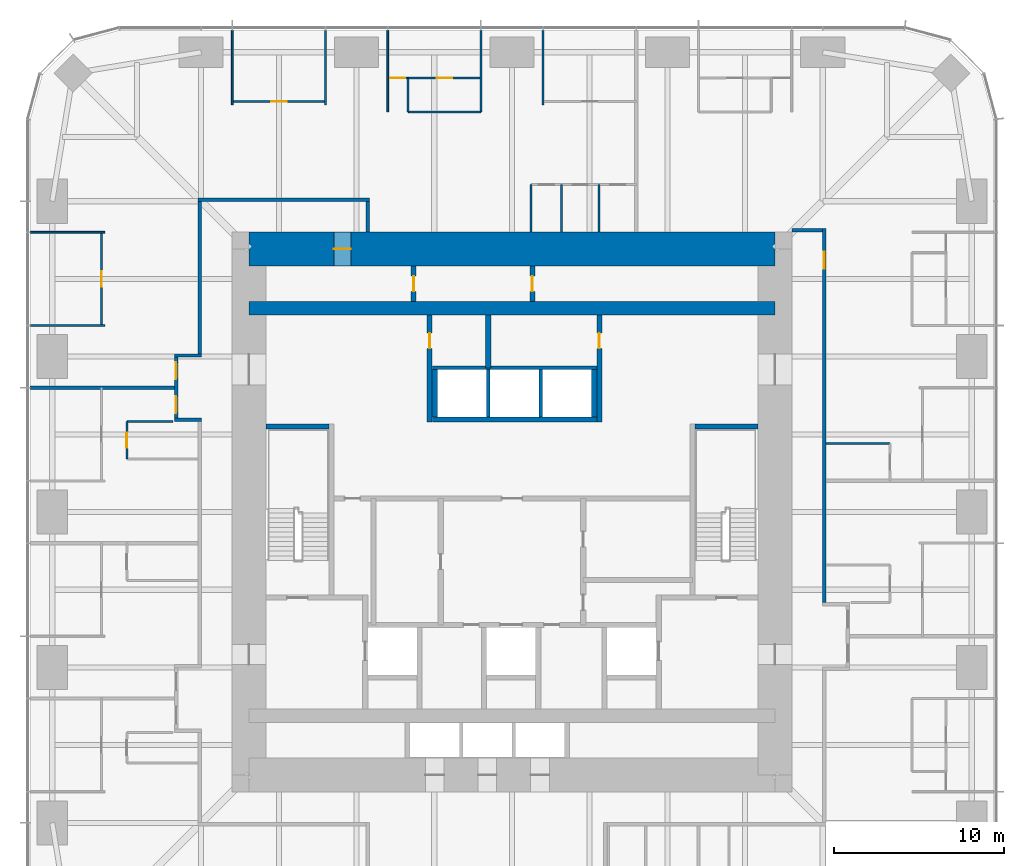
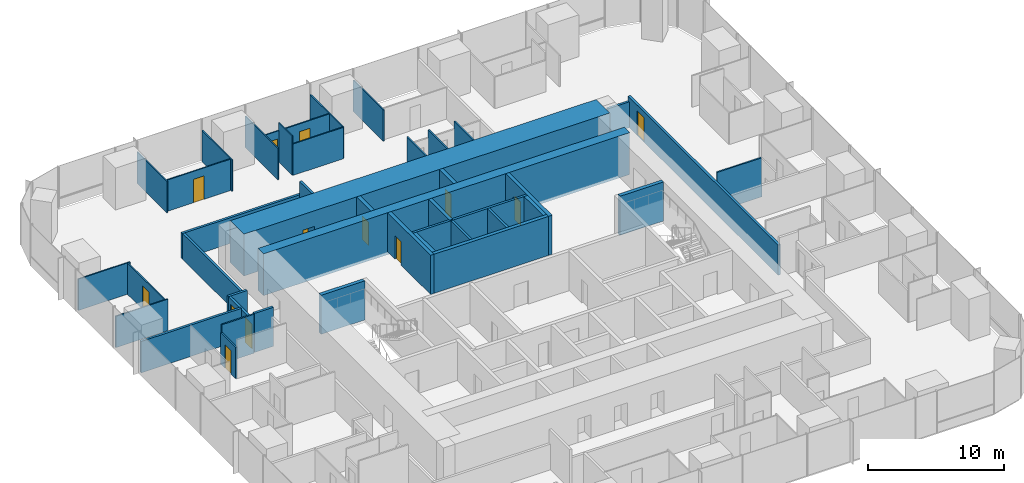
# One storey, part 11 of 13: 42 walls, 13 doors, 13 openings.
"""IFC4 building model written with IfcOpenShell, lengths in metres."""

from ifc_helpers import new_model, si_unit, direction, frame, frame_2d, origin, place, context, subcontext, project, spatial, rectangle, extrude, material, layer, layer_set, type_object, element, fill, save


model = new_model("IFC4")

# Units and contexts
model_context = context("Model", 3, precision=1e-05, world=origin(), true_north=direction((0.0, 1.0)))
body_context = subcontext(model_context, "Body", "Model", "MODEL_VIEW")
ifc_project = project(units=[si_unit("LENGTHUNIT", "METRE"), si_unit("AREAUNIT", "SQUARE_METRE"), si_unit("VOLUMEUNIT", "CUBIC_METRE"), si_unit("PLANEANGLEUNIT", "RADIAN"), si_unit("MASSUNIT", "GRAM", prefix="KILO")], contexts=[model_context])

# Site, building, storey
site_placement = place(None, origin())
site = spatial("IfcSite", under=ifc_project, at=site_placement, CompositionType="ELEMENT")
building_placement = place(site_placement, origin())
building = spatial("IfcBuilding", under=site, at=building_placement, Name="Khuree Lantern Residences", CompositionType="ELEMENT")
storey_placement = place(building_placement, frame((0.0, 0.0, 159.75)))
storey = spatial("IfcBuildingStorey", under=building, at=storey_placement, Name="L40", CompositionType="ELEMENT", Elevation=159.75)

# Walls
ifc_material_1 = material(Name="Moisture-resistant gypsum board on steel studs", Category="steel")
ifc_layer_1 = layer(ifc_material_1, 0.125)
ifc_layer_set_1 = layer_set([ifc_layer_1], Name="BATHROOM WALL BTW125")
wall_type_1 = type_object("IfcWallType", Name="BATHROOM WALL BTW125", PredefinedType="PARTITIONING", material=ifc_layer_set_1)
wall_1_placement = place(storey_placement, frame((18.5, 4.031982421875, 0.0), z_axis=(0.0, 0.0, 1.0), x_axis=(1.0, 0.0, 0.0)))
element("IfcWall", 1, at=wall_1_placement, inside=storey, type_object=wall_type_1, Name="L40 BATHROOM WALL 02", PredefinedType="PARTITIONING", context=body_context, shape_type="SweptSolid", body=[
    extrude(rectangle(XDim=3.77978515625, YDim=0.125, at=frame_2d((1.889892578125, 0.0))), origin(), (0.0, 0.0, 1.0), 3.5),
])
for number, where, z_axis, x_axis, name in (
    (2, (5.1279296875, 16.5, 0.0), (0.0, 0.0, 1.0), (0.0, 1.0, 0.0), "L40 BATHROOM WALL 03"),
    (3, (2.927978515625, 16.5, 0.0), (0.0, 0.0, 1.0), (0.0, 1.0, 0.0), "L40 BATHROOM WALL 03"),
    (4, (1.1279296875, 16.5, 0.0), (0.0, 0.0, 1.0), (0.0, 1.0, 0.0), "L40 BATHROOM WALL 03"),
):
    element("IfcWall", number, at=place(storey_placement, frame(where, z_axis=z_axis, x_axis=x_axis)), inside=storey, type_object=wall_type_1, Name=name, PredefinedType="PARTITIONING", context=body_context, shape_type="SweptSolid", body=[
        extrude(rectangle(XDim=2.800048828125, YDim=0.125, at=frame_2d((1.39990234375, 0.0))), origin(), (0.0, 0.0, 1.0), 3.5),
    ])

# Wall, opening, door
wall_2_placement = place(storey_placement, frame((-22.699951171875, 5.327880859375, 0.0), z_axis=(0.0, 0.0, 1.0), x_axis=(0.0, -1.0, 0.0)))
wall_2 = element("IfcWall", 5, at=wall_2_placement, inside=storey, type_object=wall_type_1, Name="L40 BATHROOM WALL 04", PredefinedType="PARTITIONING", context=body_context, shape_type="SweptSolid", body=[
    extrude(rectangle(XDim=2.199951171875, YDim=0.125, at=frame_2d((1.10009765625, 0.0))), origin(), (0.0, 0.0, 1.0), 2.81005859375),
])
opening_1_placement = place(wall_2_placement, frame((0.64990234375, 0.0, 0.0)))
opening_1 = element("IfcOpeningElement", 6, at=opening_1_placement, cuts=wall_2, Name="Opening 40-045", PredefinedType="OPENING", context=body_context, shape_type="SweptSolid", body=[
    extrude(rectangle(XDim=0.89990234375, YDim=2.10009765625, at=frame_2d((0.449951171875, 1.050048828125))), frame((0.0, 0.072509765625, 0.0), z_axis=(0.0, -1.0, 0.0), x_axis=(1.0, 0.0, 0.0)), (0.0, 0.0, 1.0), 0.14501953125),
])
ifc_material_2 = material(Name="Timber door leaf in hardwood frame", Category="wood")
door_type_1 = type_object("IfcDoorType", Name="BATHROOM DOOR 900X2100", OperationType="SINGLE_SWING_LEFT", PredefinedType="DOOR", material=ifc_material_2)
door_1_placement = place(opening_1_placement, origin())
door_1 = element("IfcDoor", 7, at=door_1_placement, inside=storey, type_object=door_type_1, Name="Bathroom door 40-045", OperationType="SINGLE_SWING_LEFT", OverallHeight=2.10009765625, OverallWidth=0.89990234375, PredefinedType="DOOR", context=body_context, shape_type="SweptSolid", body=[
    extrude(rectangle(XDim=0.89990234375, YDim=2.10009765625, at=frame_2d((0.449951171875, 1.050048828125))), frame((0.0, 0.02490234375, 0.0), z_axis=(0.0, -1.0, 0.0), x_axis=(1.0, 0.0, 0.0)), (0.0, 0.0, 1.0), 0.050048828125),
])
fill(opening_1, door_1)

# Walls
wall_3_placement = place(storey_placement, frame((-19.969970703125, 5.327880859375, 0.0), z_axis=(0.0, 0.0, 1.0), x_axis=(-1.0, 0.0, 0.0)))
element("IfcWall", 8, at=wall_3_placement, inside=storey, type_object=wall_type_1, Name="L40 BATHROOM WALL 04", PredefinedType="PARTITIONING", context=body_context, shape_type="SweptSolid", body=[
    extrude(rectangle(XDim=2.72998046875, YDim=0.125, at=frame_2d((1.364990234375, 0.0))), origin(), (0.0, 0.0, 1.0), 3.5),
])
ifc_material_3 = material(Name="Dense concrete blockwork", Category="masonry")
ifc_layer_2 = layer(ifc_material_3, 0.300048828125)
ifc_layer_set_2 = layer_set([ifc_layer_2], Name="CORE PARTITION WALL CPW300 EI 120")
wall_type_2 = type_object("IfcWallType", Name="CORE PARTITION WALL CPW300 EI 120", PredefinedType="PARTITIONING", material=ifc_layer_set_2)
wall_4_placement = place(storey_placement, frame((-4.699951171875, 5.449951171875, 0.0), z_axis=(0.0, 0.0, 1.0), x_axis=(1.0, 0.0, 0.0)))
element("IfcWall", 9, at=wall_4_placement, inside=storey, type_object=wall_type_2, Name="L40 CORE WALL PHS", PredefinedType="PARTITIONING", context=body_context, shape_type="SweptSolid", body=[
    extrude(rectangle(XDim=9.699951171875, YDim=0.300048828125, at=frame_2d((4.85009765625, 0.0))), origin(), (0.0, 0.0, 1.0), 3.5),
])
for number, where, z_axis, x_axis, name in (
    (10, (-4.550048828125, 5.60009765625, 0.0), (0.0, 0.0, 1.0), (0.0, 1.0, 0.0), "L40 CORE WALL PHW"),
    (11, (4.85009765625, 5.60009765625, 0.0), (0.0, 0.0, 1.0), (0.0, 1.0, 0.0), "L40 CORE WALL PHE"),
):
    element("IfcWall", number, at=place(storey_placement, frame(where, z_axis=z_axis, x_axis=x_axis)), inside=storey, type_object=wall_type_2, Name=name, PredefinedType="PARTITIONING", context=body_context, shape_type="SweptSolid", body=[
        extrude(rectangle(XDim=2.7998046875, YDim=0.300048828125, at=frame_2d((1.39990234375, 0.0))), origin(), (0.0, 0.0, 1.0), 3.5),
    ])

# Wall, opening, door
wall_5_placement = place(storey_placement, frame((-4.85009765625, 5.300048828125, 0.0), z_axis=(0.0, 0.0, 1.0), x_axis=(0.0, 1.0, 0.0)))
wall_5 = element("IfcWall", 12, at=wall_5_placement, inside=storey, type_object=wall_type_2, Name="L40 CORE WALL NW", PredefinedType="PARTITIONING", context=body_context, shape_type="SweptSolid", body=[
    extrude(rectangle(XDim=6.300048828125, YDim=0.300048828125, at=frame_2d((3.14990234375, 0.0))), origin(), (0.0, 0.0, 1.0), 3.5),
])
opening_2_placement = place(wall_5_placement, frame((4.35009765625, 0.0, 0.0)))
opening_2 = element("IfcOpeningElement", 13, at=opening_2_placement, cuts=wall_5, Name="Opening 40-020", PredefinedType="OPENING", context=body_context, shape_type="SweptSolid", body=[
    extrude(rectangle(XDim=0.89990234375, YDim=2.10009765625, at=frame_2d((0.449951171875, 1.050048828125))), frame((0.0, 0.16015625, 0.0), z_axis=(0.0, -1.0, 0.0), x_axis=(1.0, 0.0, 0.0)), (0.0, 0.0, 1.0), 0.320068359375),
])
door_type_2 = type_object("IfcDoorType", Name="DOOR 900X2100 RIGHT HAND", OperationType="SINGLE_SWING_RIGHT", PredefinedType="DOOR", material=ifc_material_2)
door_2_placement = place(opening_2_placement, origin())
door_2 = element("IfcDoor", 14, at=door_2_placement, inside=storey, type_object=door_type_2, Name="Building management room door 40-020", OperationType="SINGLE_SWING_RIGHT", OverallHeight=2.10009765625, OverallWidth=0.89990234375, PredefinedType="DOOR", context=body_context, shape_type="SweptSolid", body=[
    extrude(rectangle(XDim=0.89990234375, YDim=2.10009765625, at=frame_2d((0.449951171875, 1.050048828125))), frame((0.0, 0.02490234375, 0.0), z_axis=(0.0, -1.0, 0.0), x_axis=(1.0, 0.0, 0.0)), (0.0, 0.0, 1.0), 0.050048828125),
])
fill(opening_2, door_2)

wall_6_placement = place(storey_placement, frame((5.14990234375, 5.300048828125, 0.0), z_axis=(0.0, 0.0, 1.0), x_axis=(0.0, 1.0, 0.0)))
wall_6 = element("IfcWall", 15, at=wall_6_placement, inside=storey, type_object=wall_type_2, Name="L40 CORE WALL NE", PredefinedType="PARTITIONING", context=body_context, shape_type="SweptSolid", body=[
    extrude(rectangle(XDim=6.300048828125, YDim=0.300048828125, at=frame_2d((3.14990234375, 0.0))), origin(), (0.0, 0.0, 1.0), 3.5),
])
opening_3_placement = place(wall_6_placement, frame((4.35009765625, 0.0, 0.0)))
opening_3 = element("IfcOpeningElement", 16, at=opening_3_placement, cuts=wall_6, Name="Opening 40-021", PredefinedType="OPENING", context=body_context, shape_type="SweptSolid", body=[
    extrude(rectangle(XDim=0.89990234375, YDim=2.10009765625, at=frame_2d((0.449951171875, 1.050048828125))), frame((0.0, 0.16015625, 0.0), z_axis=(0.0, -1.0, 0.0), x_axis=(1.0, 0.0, 0.0)), (0.0, 0.0, 1.0), 0.320068359375),
])
door_type_3 = type_object("IfcDoorType", Name="DOOR 900X2100", OperationType="SINGLE_SWING_LEFT", PredefinedType="DOOR", material=ifc_material_2)
door_3_placement = place(opening_3_placement, origin())
door_3 = element("IfcDoor", 17, at=door_3_placement, inside=storey, type_object=door_type_3, Name="Bulky waste store door 40-021", OperationType="SINGLE_SWING_LEFT", OverallHeight=2.10009765625, OverallWidth=0.89990234375, PredefinedType="DOOR", context=body_context, shape_type="SweptSolid", body=[
    extrude(rectangle(XDim=0.89990234375, YDim=2.10009765625, at=frame_2d((0.449951171875, 1.050048828125))), frame((0.0, 0.02490234375, 0.0), z_axis=(0.0, -1.0, 0.0), x_axis=(1.0, 0.0, 0.0)), (0.0, 0.0, 1.0), 0.050048828125),
])
fill(opening_3, door_3)

# Wall
wall_7_placement = place(storey_placement, frame((-1.39990234375, 8.5, 0.0), z_axis=(0.0, 0.0, 1.0), x_axis=(0.0, 1.0, 0.0)))
element("IfcWall", 18, at=wall_7_placement, inside=storey, type_object=wall_type_2, Name="L40 CORE WALL NX", PredefinedType="PARTITIONING", context=body_context, shape_type="SweptSolid", body=[
    extrude(rectangle(XDim=3.10009765625, YDim=0.300048828125, at=frame_2d((1.550048828125, 0.0))), origin(), (0.0, 0.0, 1.0), 3.5),
])

# Wall, opening, door
wall_8_placement = place(storey_placement, frame((-5.800048828125, 12.39990234375, 0.0), z_axis=(0.0, 0.0, 1.0), x_axis=(0.0, 1.0, 0.0)))
wall_8 = element("IfcWall", 19, at=wall_8_placement, inside=storey, type_object=wall_type_2, Name="L40 CORE WALL PLX", PredefinedType="PARTITIONING", context=body_context, shape_type="SweptSolid", body=[
    extrude(rectangle(XDim=2.10009765625, YDim=0.300048828125, at=frame_2d((1.050048828125, 0.0))), origin(), (0.0, 0.0, 1.0), 3.5),
])
opening_4_placement = place(wall_8_placement, frame((0.60009765625, 0.0, 0.0)))
opening_4 = element("IfcOpeningElement", 20, at=opening_4_placement, cuts=wall_8, Name="Opening 40-022", PredefinedType="OPENING", context=body_context, shape_type="SweptSolid", body=[
    extrude(rectangle(XDim=0.89990234375, YDim=2.10009765625, at=frame_2d((0.449951171875, 1.050048828125))), frame((0.0, 0.16015625, 0.0), z_axis=(0.0, -1.0, 0.0), x_axis=(1.0, 0.0, 0.0)), (0.0, 0.0, 1.0), 0.320068359375),
])
door_4_placement = place(opening_4_placement, origin())
door_4 = element("IfcDoor", 21, at=door_4_placement, inside=storey, type_object=door_type_3, Name="Housekeeping store door 40-022", OperationType="SINGLE_SWING_LEFT", OverallHeight=2.10009765625, OverallWidth=0.89990234375, PredefinedType="DOOR", context=body_context, shape_type="SweptSolid", body=[
    extrude(rectangle(XDim=0.89990234375, YDim=2.10009765625, at=frame_2d((0.449951171875, 1.050048828125))), frame((0.0, 0.02490234375, 0.0), z_axis=(0.0, -1.0, 0.0), x_axis=(1.0, 0.0, 0.0)), (0.0, 0.0, 1.0), 0.050048828125),
])
fill(opening_4, door_4)

wall_9_placement = place(storey_placement, frame((1.199951171875, 12.39990234375, 0.0), z_axis=(0.0, 0.0, 1.0), x_axis=(0.0, 1.0, 0.0)))
wall_9 = element("IfcWall", 22, at=wall_9_placement, inside=storey, type_object=wall_type_2, Name="L40 CORE WALL PLY", PredefinedType="PARTITIONING", context=body_context, shape_type="SweptSolid", body=[
    extrude(rectangle(XDim=2.10009765625, YDim=0.300048828125, at=frame_2d((1.050048828125, 0.0))), origin(), (0.0, 0.0, 1.0), 3.5),
])
opening_5_placement = place(wall_9_placement, frame((0.60009765625, 0.0, 0.0)))
opening_5 = element("IfcOpeningElement", 23, at=opening_5_placement, cuts=wall_9, Name="Opening 40-023", PredefinedType="OPENING", context=body_context, shape_type="SweptSolid", body=[
    extrude(rectangle(XDim=0.89990234375, YDim=2.10009765625, at=frame_2d((0.449951171875, 1.050048828125))), frame((0.0, 0.16015625, 0.0), z_axis=(0.0, -1.0, 0.0), x_axis=(1.0, 0.0, 0.0)), (0.0, 0.0, 1.0), 0.320068359375),
])
door_5_placement = place(opening_5_placement, origin())
door_5 = element("IfcDoor", 24, at=door_5_placement, inside=storey, type_object=door_type_3, Name="Store door 40-023", OperationType="SINGLE_SWING_LEFT", OverallHeight=2.10009765625, OverallWidth=0.89990234375, PredefinedType="DOOR", context=body_context, shape_type="SweptSolid", body=[
    extrude(rectangle(XDim=0.89990234375, YDim=2.10009765625, at=frame_2d((0.449951171875, 1.050048828125))), frame((0.0, 0.02490234375, 0.0), z_axis=(0.0, -1.0, 0.0), x_axis=(1.0, 0.0, 0.0)), (0.0, 0.0, 1.0), 0.050048828125),
])
fill(opening_5, door_5)

# Walls
ifc_material_4 = material(Name="Gypsum board on steel studs", Category="steel")
ifc_layer_3 = layer(ifc_material_4, 0.199951171875)
ifc_layer_set_3 = layer_set([ifc_layer_3], Name="CORRIDOR WALL CRW200 EI 60")
wall_type_3 = type_object("IfcWallType", Name="CORRIDOR WALL CRW200 EI 60", PredefinedType="PARTITIONING", material=ifc_layer_set_3)
wall_10_placement = place(storey_placement, frame((16.5, 16.60009765625, 0.0), z_axis=(0.0, 0.0, 1.0), x_axis=(1.0, 0.0, 0.0)))
element("IfcWall", 25, at=wall_10_placement, inside=storey, type_object=wall_type_3, Name="L40 EAST CORRIDOR NORTH END WALL", PredefinedType="PARTITIONING", context=body_context, shape_type="SweptSolid", body=[
    extrude(rectangle(XDim=1.800048828125, YDim=0.199951171875, at=frame_2d((0.89990234375, 0.0))), origin(), (0.0, 0.0, 1.0), 2.300048828125),
])
wall_11_placement = place(storey_placement, frame((-18.5, 18.39990234375, 0.0), z_axis=(0.0, 0.0, 1.0), x_axis=(1.0, 0.0, 0.0)))
element("IfcWall", 26, at=wall_11_placement, inside=storey, type_object=wall_type_3, Name="L40 CORRIDOR WALL NORTH", PredefinedType="PARTITIONING", context=body_context, shape_type="SweptSolid", body=[
    extrude(rectangle(XDim=10.10009765625, YDim=0.199951171875, at=frame_2d((5.050048828125, 0.0))), origin(), (0.0, 0.0, 1.0), 2.300048828125),
])
wall_12_placement = place(storey_placement, frame((-8.5, 18.300048828125, 0.0), z_axis=(0.0, 0.0, 1.0), x_axis=(0.0, -1.0, 0.0)))
element("IfcWall", 27, at=wall_12_placement, inside=storey, type_object=wall_type_3, Name="L40 NORTH CORRIDOR END WALL", PredefinedType="PARTITIONING", context=body_context, shape_type="SweptSolid", body=[
    extrude(rectangle(XDim=1.800048828125, YDim=0.199951171875, at=frame_2d((0.89990234375, 0.0))), origin(), (0.0, 0.0, 1.0), 3.5),
])

# Wall, opening, door
wall_13_placement = place(storey_placement, frame((18.39990234375, -5.327880859375, 0.0), z_axis=(0.0, 0.0, 1.0), x_axis=(0.0, 1.0, 0.0)))
wall_13 = element("IfcWall", 28, at=wall_13_placement, inside=storey, type_object=wall_type_3, Name="L40 CORRIDOR WALL EAST 2", PredefinedType="PARTITIONING", context=body_context, shape_type="SweptSolid", body=[
    extrude(rectangle(XDim=22.02783203125, YDim=0.199951171875, at=frame_2d((11.013916015625, 0.0))), origin(), (0.0, 0.0, 1.0), 2.699951171875),
])
opening_6_placement = place(wall_13_placement, frame((19.679931640625, 0.0, 0.0)))
opening_6 = element("IfcOpeningElement", 29, at=opening_6_placement, cuts=wall_13, Name="Opening 40-034", PredefinedType="OPENING", context=body_context, shape_type="SweptSolid", body=[
    extrude(rectangle(XDim=1.0, YDim=2.199951171875, at=frame_2d((0.5, 1.10009765625))), frame((0.0, 0.10986328125, 0.0), z_axis=(0.0, -1.0, 0.0), x_axis=(1.0, 0.0, 0.0)), (0.0, 0.0, 1.0), 0.219970703125),
])
door_type_4 = type_object("IfcDoorType", Name="APARTMENT ENTRANCE DOOR 1000X2200 EI 30S RIGHT HAND", OperationType="SINGLE_SWING_RIGHT", PredefinedType="DOOR", material=ifc_material_2)
door_6_placement = place(opening_6_placement, origin())
door_6 = element("IfcDoor", 30, at=door_6_placement, inside=storey, type_object=door_type_4, Name="Apartment 02 entrance door 40-034", OperationType="SINGLE_SWING_RIGHT", OverallHeight=2.199951171875, OverallWidth=1.0, PredefinedType="DOOR", context=body_context, shape_type="SweptSolid", body=[
    extrude(rectangle(XDim=1.0, YDim=2.199951171875, at=frame_2d((0.5, 1.10009765625))), frame((0.0, 0.02490234375, 0.0), z_axis=(0.0, -1.0, 0.0), x_axis=(1.0, 0.0, 0.0)), (0.0, 0.0, 1.0), 0.050048828125),
])
fill(opening_6, door_6)

# Walls
wall_14_placement = place(storey_placement, frame((-18.39990234375, 18.300048828125, 0.0), z_axis=(0.0, 0.0, 1.0), x_axis=(0.0, -1.0, 0.0)))
element("IfcWall", 31, at=wall_14_placement, inside=storey, type_object=wall_type_3, Name="L40 CORRIDOR WALL WEST 1", PredefinedType="PARTITIONING", context=body_context, shape_type="SweptSolid", body=[
    extrude(rectangle(XDim=8.97216796875, YDim=0.199951171875, at=frame_2d((4.486083984375, 0.0))), origin(), (0.0, 0.0, 1.0), 2.300048828125),
])
wall_15_placement = place(storey_placement, frame((-18.300048828125, 9.22802734375, 0.0), z_axis=(0.0, 0.0, 1.0), x_axis=(-1.0, 0.0, 0.0)))
element("IfcWall", 32, at=wall_15_placement, inside=storey, type_object=wall_type_3, Name="L40 CORRIDOR ALCOVE WALL WEST", PredefinedType="PARTITIONING", context=body_context, shape_type="SweptSolid", body=[
    extrude(rectangle(XDim=1.599853515625, YDim=0.199951171875, at=frame_2d((0.7998046875, 0.0))), origin(), (0.0, 0.0, 1.0), 2.699951171875),
])
wall_16_placement = place(storey_placement, frame((-18.300048828125, 5.427978515625, 0.0), z_axis=(0.0, 0.0, 1.0), x_axis=(-1.0, 0.0, 0.0)))
element("IfcWall", 33, at=wall_16_placement, inside=storey, type_object=wall_type_3, Name="L40 CORRIDOR ALCOVE WALL WEST", PredefinedType="PARTITIONING", context=body_context, shape_type="SweptSolid", body=[
    extrude(rectangle(XDim=1.599853515625, YDim=0.199951171875, at=frame_2d((0.7998046875, 0.0))), origin(), (0.0, 0.0, 1.0), 3.5),
])

# Wall, openings, doors
wall_17_placement = place(storey_placement, frame((-19.800048828125, 9.1279296875, 0.0), z_axis=(0.0, 0.0, 1.0), x_axis=(0.0, -1.0, 0.0)))
wall_17 = element("IfcWall", 34, at=wall_17_placement, inside=storey, type_object=wall_type_3, Name="L40 CORRIDOR ALCOVE WALL WEST", PredefinedType="PARTITIONING", context=body_context, shape_type="SweptSolid", body=[
    extrude(rectangle(XDim=3.599853515625, YDim=0.199951171875, at=frame_2d((1.7998046875, 0.0))), origin(), (0.0, 0.0, 1.0), 2.699951171875),
])
opening_7_placement = place(wall_17_placement, frame((0.300048828125, 0.0, 0.0)))
opening_7 = element("IfcOpeningElement", 35, at=opening_7_placement, cuts=wall_17, Name="Opening 40-043", PredefinedType="OPENING", context=body_context, shape_type="SweptSolid", body=[
    extrude(rectangle(XDim=1.0, YDim=2.199951171875, at=frame_2d((0.5, 1.10009765625))), frame((0.0, 0.10986328125, 0.0), z_axis=(0.0, -1.0, 0.0), x_axis=(1.0, 0.0, 0.0)), (0.0, 0.0, 1.0), 0.219970703125),
])
opening_8_placement = place(wall_17_placement, frame((2.300048828125, 0.0, 0.0)))
opening_8 = element("IfcOpeningElement", 36, at=opening_8_placement, cuts=wall_17, Name="Opening 40-046", PredefinedType="OPENING", context=body_context, shape_type="SweptSolid", body=[
    extrude(rectangle(XDim=1.0, YDim=2.199951171875, at=frame_2d((0.5, 1.10009765625))), frame((0.0, 0.10986328125, 0.0), z_axis=(0.0, -1.0, 0.0), x_axis=(1.0, 0.0, 0.0)), (0.0, 0.0, 1.0), 0.219970703125),
])
door_type_5 = type_object("IfcDoorType", Name="APARTMENT ENTRANCE DOOR 1000X2200 EI 30S", OperationType="SINGLE_SWING_LEFT", PredefinedType="DOOR", material=ifc_material_2)
door_7_placement = place(opening_7_placement, origin())
door_7 = element("IfcDoor", 37, at=door_7_placement, inside=storey, type_object=door_type_5, Name="Apartment 03 entrance door 40-043", OperationType="SINGLE_SWING_LEFT", OverallHeight=2.199951171875, OverallWidth=1.0, PredefinedType="DOOR", context=body_context, shape_type="SweptSolid", body=[
    extrude(rectangle(XDim=1.0, YDim=2.199951171875, at=frame_2d((0.5, 1.10009765625))), frame((0.0, 0.02490234375, 0.0), z_axis=(0.0, -1.0, 0.0), x_axis=(1.0, 0.0, 0.0)), (0.0, 0.0, 1.0), 0.050048828125),
])
fill(opening_7, door_7)
door_8_placement = place(opening_8_placement, origin())
door_8 = element("IfcDoor", 38, at=door_8_placement, inside=storey, type_object=door_type_4, Name="Apartment 04 entrance door 40-046", OperationType="SINGLE_SWING_RIGHT", OverallHeight=2.199951171875, OverallWidth=1.0, PredefinedType="DOOR", context=body_context, shape_type="SweptSolid", body=[
    extrude(rectangle(XDim=1.0, YDim=2.199951171875, at=frame_2d((0.5, 1.10009765625))), frame((0.0, 0.02490234375, 0.0), z_axis=(0.0, -1.0, 0.0), x_axis=(1.0, 0.0, 0.0)), (0.0, 0.0, 1.0), 0.050048828125),
])
fill(opening_8, door_8)

# Wall, opening, door
ifc_material_5 = material(Name="Concrete C70/85", Category="concrete")
ifc_layer_4 = layer(ifc_material_5, 2.0)
ifc_layer_set_4 = layer_set([ifc_layer_4], Name="CW2000-C70 CORE WALL C70 2000")
wall_type_4 = type_object("IfcWallType", Name="CW2000-C70 CORE WALL C70 2000", PredefinedType="SHEAR", material=ifc_layer_set_4)
wall_18_placement = place(storey_placement, frame((-15.5, 15.5, -0.25), z_axis=(0.0, 0.0, 1.0), x_axis=(1.0, 0.0, 0.0)))
wall_18 = element("IfcWall", 39, at=wall_18_placement, inside=storey, type_object=wall_type_4, Name="Core wall N", PredefinedType="SHEAR", context=body_context, shape_type="SweptSolid", body=[
    extrude(rectangle(XDim=31.0, YDim=2.0, at=frame_2d((15.5, 0.0))), origin(), (0.0, 0.0, 1.0), 3.75),
])
opening_9_placement = place(wall_18_placement, frame((5.0, 0.0, 0.25)))
opening_9 = element("IfcOpeningElement", 40, at=opening_9_placement, cuts=wall_18, Name="Opening 40-024", PredefinedType="OPENING", context=body_context, shape_type="SweptSolid", body=[
    extrude(rectangle(XDim=1.0, YDim=2.10009765625, at=frame_2d((0.5, 1.050048828125))), frame((0.0, 1.010009765625, 0.0), z_axis=(0.0, -1.0, 0.0), x_axis=(1.0, 0.0, 0.0)), (0.0, 0.0, 1.0), 2.02001953125),
])
ifc_material_6 = material(Name="Steel door leaf in steel frame", Category="steel")
door_type_6 = type_object("IfcDoorType", Name="DOOR 1000X2100 EI 60 RIGHT HAND", OperationType="SINGLE_SWING_RIGHT", PredefinedType="DOOR", material=ifc_material_6)
door_9_placement = place(opening_9_placement, origin())
door_9 = element("IfcDoor", 41, at=door_9_placement, inside=storey, type_object=door_type_6, Name="Residents' store door 40-024", OperationType="SINGLE_SWING_RIGHT", OverallHeight=2.10009765625, OverallWidth=1.0, PredefinedType="DOOR", context=body_context, shape_type="SweptSolid", body=[
    extrude(rectangle(XDim=1.0, YDim=2.10009765625, at=frame_2d((0.5, 1.050048828125))), frame((0.0, 0.02490234375, 0.0), z_axis=(0.0, -1.0, 0.0), x_axis=(1.0, 0.0, 0.0)), (0.0, 0.0, 1.0), 0.050048828125),
])
fill(opening_9, door_9)

# Walls
ifc_layer_5 = layer(ifc_material_4, 0.199951171875)
ifc_layer_set_5 = layer_set([ifc_layer_5], Name="DEMISING WALL DMW200 EI 90")
wall_type_5 = type_object("IfcWallType", Name="DEMISING WALL DMW200 EI 90", PredefinedType="PARTITIONING", material=ifc_layer_set_5)
wall_19_placement = place(storey_placement, frame((-19.89990234375, 7.327880859375, 0.0), z_axis=(0.0, 0.0, 1.0), x_axis=(-1.0, 0.0, 0.0)))
element("IfcWall", 42, at=wall_19_placement, inside=storey, type_object=wall_type_5, Name="L40 DEMISING WALL 04", PredefinedType="PARTITIONING", context=body_context, shape_type="SweptSolid", body=[
    extrude(rectangle(XDim=8.5, YDim=0.199951171875, at=frame_2d((4.25, 0.0))), origin(), (0.0, 0.0, 1.0), 2.81005859375),
])
ifc_layer_6 = layer(ifc_material_4, 0.10009765625)
ifc_layer_set_6 = layer_set([ifc_layer_6], Name="PARTITION PT100")
wall_type_6 = type_object("IfcWallType", Name="PARTITION PT100", PredefinedType="PARTITIONING", material=ifc_layer_set_6)
wall_20_placement = place(storey_placement, frame((1.83203125, 24.0, 0.0), z_axis=(0.0, 0.0, 1.0), x_axis=(0.0, 1.0, 0.0)))
element("IfcWall", 43, at=wall_20_placement, inside=storey, type_object=wall_type_6, Name="L40 PARTITION 03", PredefinedType="PARTITIONING", context=body_context, shape_type="SweptSolid", body=[
    extrude(rectangle(XDim=4.39990234375, YDim=0.10009765625, at=frame_2d((2.199951171875, 0.0))), origin(), (0.0, 0.0, 1.0), 2.81005859375),
])
for number, where, z_axis, x_axis, name in (
    (44, (-1.83203125, 23.579833984375, 0.0), (0.0, 0.0, 1.0), (0.0, 1.0, 0.0), "L40 PARTITION 03"),
    (45, (-7.327880859375, 23.579833984375, 0.0), (0.0, 0.0, 1.0), (0.0, 1.0, 0.0), "L40 PARTITION 03"),
):
    element("IfcWall", number, at=place(storey_placement, frame(where, z_axis=z_axis, x_axis=x_axis)), inside=storey, type_object=wall_type_6, Name=name, PredefinedType="PARTITIONING", context=body_context, shape_type="SweptSolid", body=[
        extrude(rectangle(XDim=4.820068359375, YDim=0.10009765625, at=frame_2d((2.41015625, 0.0))), origin(), (0.0, 0.0, 1.0), 2.81005859375),
    ])
for number, where, z_axis, x_axis, name in (
    (46, (-10.991943359375, 24.0, 0.0), (0.0, 0.0, 1.0), (0.0, 1.0, 0.0), "L40 PARTITION 03"),
    (47, (-16.488037109375, 24.0, 0.0), (0.0, 0.0, 1.0), (0.0, 1.0, 0.0), "L40 PARTITION 03"),
    (48, (-24.0, 16.488037109375, 0.0), (0.0, 0.0, 1.0), (-1.0, 0.0, 0.0), "L40 PARTITION 03"),
    (49, (-24.0, 10.991943359375, 0.0), (0.0, 0.0, 1.0), (-1.0, 0.0, 0.0), "L40 PARTITION 03"),
):
    element("IfcWall", number, at=place(storey_placement, frame(where, z_axis=z_axis, x_axis=x_axis)), inside=storey, type_object=wall_type_6, Name=name, PredefinedType="PARTITIONING", context=body_context, shape_type="SweptSolid", body=[
        extrude(rectangle(XDim=4.39990234375, YDim=0.10009765625, at=frame_2d((2.199951171875, 0.0))), origin(), (0.0, 0.0, 1.0), 2.81005859375),
    ])

# Wall, openings, doors
wall_21_placement = place(storey_placement, frame((-1.83203125, 25.579833984375, 0.0), z_axis=(0.0, 0.0, 1.0), x_axis=(-1.0, 0.0, 0.0)))
wall_21 = element("IfcWall", 50, at=wall_21_placement, inside=storey, type_object=wall_type_6, Name="L40 PARTITION 03", PredefinedType="PARTITIONING", context=body_context, shape_type="SweptSolid", body=[
    extrude(rectangle(XDim=5.495849609375, YDim=0.10009765625, at=frame_2d((2.748046875, 0.0))), origin(), (0.0, 0.0, 1.0), 2.81005859375),
])
opening_10_placement = place(wall_21_placement, frame((4.446044921875, 0.0, 0.0)))
opening_10 = element("IfcOpeningElement", 51, at=opening_10_placement, cuts=wall_21, Name="Opening 40-036", PredefinedType="OPENING", context=body_context, shape_type="SweptSolid", body=[
    extrude(rectangle(XDim=0.89990234375, YDim=2.10009765625, at=frame_2d((0.449951171875, 1.050048828125))), frame((0.0, 0.06005859375, 0.0), z_axis=(0.0, -1.0, 0.0), x_axis=(1.0, 0.0, 0.0)), (0.0, 0.0, 1.0), 0.1201171875),
])
opening_11_placement = place(wall_21_placement, frame((1.697998046875, 0.0, 0.0)))
opening_11 = element("IfcOpeningElement", 52, at=opening_11_placement, cuts=wall_21, Name="Opening 40-037", PredefinedType="OPENING", context=body_context, shape_type="SweptSolid", body=[
    extrude(rectangle(XDim=0.89990234375, YDim=2.10009765625, at=frame_2d((0.449951171875, 1.050048828125))), frame((0.0, 0.06005859375, 0.0), z_axis=(0.0, -1.0, 0.0), x_axis=(1.0, 0.0, 0.0)), (0.0, 0.0, 1.0), 0.1201171875),
])
door_type_7 = type_object("IfcDoorType", Name="BEDROOM DOOR 900X2100", OperationType="SINGLE_SWING_LEFT", PredefinedType="DOOR", material=ifc_material_2)
door_10_placement = place(opening_10_placement, origin())
door_10 = element("IfcDoor", 53, at=door_10_placement, inside=storey, type_object=door_type_7, Name="Bedroom door 40-036", OperationType="SINGLE_SWING_LEFT", OverallHeight=2.10009765625, OverallWidth=0.89990234375, PredefinedType="DOOR", context=body_context, shape_type="SweptSolid", body=[
    extrude(rectangle(XDim=0.89990234375, YDim=2.10009765625, at=frame_2d((0.449951171875, 1.050048828125))), frame((0.0, 0.02490234375, 0.0), z_axis=(0.0, -1.0, 0.0), x_axis=(1.0, 0.0, 0.0)), (0.0, 0.0, 1.0), 0.050048828125),
])
fill(opening_10, door_10)
door_11_placement = place(opening_11_placement, origin())
door_11 = element("IfcDoor", 54, at=door_11_placement, inside=storey, type_object=door_type_3, Name="Wardrobe door 40-037", OperationType="SINGLE_SWING_LEFT", OverallHeight=2.10009765625, OverallWidth=0.89990234375, PredefinedType="DOOR", context=body_context, shape_type="SweptSolid", body=[
    extrude(rectangle(XDim=0.89990234375, YDim=2.10009765625, at=frame_2d((0.449951171875, 1.050048828125))), frame((0.0, 0.02490234375, 0.0), z_axis=(0.0, -1.0, 0.0), x_axis=(1.0, 0.0, 0.0)), (0.0, 0.0, 1.0), 0.050048828125),
])
fill(opening_11, door_11)

# Walls
wall_22_placement = place(storey_placement, frame((-6.1279296875, 23.579833984375, 0.0), z_axis=(0.0, 0.0, 1.0), x_axis=(0.0, 1.0, 0.0)))
element("IfcWall", 55, at=wall_22_placement, inside=storey, type_object=wall_type_6, Name="L40 PARTITION 03", PredefinedType="PARTITIONING", context=body_context, shape_type="SweptSolid", body=[
    extrude(rectangle(XDim=2.0, YDim=0.10009765625, at=frame_2d((1.0, 0.0))), origin(), (0.0, 0.0, 1.0), 3.5),
])
wall_23_placement = place(storey_placement, frame((-1.83203125, 23.579833984375, 0.0), z_axis=(0.0, 0.0, 1.0), x_axis=(-1.0, 0.0, 0.0)))
element("IfcWall", 56, at=wall_23_placement, inside=storey, type_object=wall_type_6, Name="L40 PARTITION 03", PredefinedType="PARTITIONING", context=body_context, shape_type="SweptSolid", body=[
    extrude(rectangle(XDim=4.2958984375, YDim=0.10009765625, at=frame_2d((2.14794921875, 0.0))), origin(), (0.0, 0.0, 1.0), 2.81005859375),
])

# Wall, opening, door
wall_24_placement = place(storey_placement, frame((-10.991943359375, 24.199951171875, 0.0), z_axis=(0.0, 0.0, 1.0), x_axis=(-1.0, 0.0, 0.0)))
wall_24 = element("IfcWall", 57, at=wall_24_placement, inside=storey, type_object=wall_type_6, Name="L40 PARTITION 03", PredefinedType="PARTITIONING", context=body_context, shape_type="SweptSolid", body=[
    extrude(rectangle(XDim=5.49609375, YDim=0.10009765625, at=frame_2d((2.748046875, 0.0))), origin(), (0.0, 0.0, 1.0), 2.81005859375),
])
opening_12_placement = place(wall_24_placement, frame((2.298095703125, 0.0, 0.0)))
opening_12 = element("IfcOpeningElement", 58, at=opening_12_placement, cuts=wall_24, Name="Opening 40-038", PredefinedType="OPENING", context=body_context, shape_type="SweptSolid", body=[
    extrude(rectangle(XDim=0.89990234375, YDim=2.10009765625, at=frame_2d((0.449951171875, 1.050048828125))), frame((0.0, 0.06005859375, 0.0), z_axis=(0.0, -1.0, 0.0), x_axis=(1.0, 0.0, 0.0)), (0.0, 0.0, 1.0), 0.1201171875),
])
door_12_placement = place(opening_12_placement, origin())
door_12 = element("IfcDoor", 59, at=door_12_placement, inside=storey, type_object=door_type_7, Name="Bedroom door 40-038", OperationType="SINGLE_SWING_LEFT", OverallHeight=2.10009765625, OverallWidth=0.89990234375, PredefinedType="DOOR", context=body_context, shape_type="SweptSolid", body=[
    extrude(rectangle(XDim=0.89990234375, YDim=2.10009765625, at=frame_2d((0.449951171875, 1.050048828125))), frame((0.0, 0.02490234375, 0.0), z_axis=(0.0, -1.0, 0.0), x_axis=(1.0, 0.0, 0.0)), (0.0, 0.0, 1.0), 0.050048828125),
])
fill(opening_12, door_12)

wall_25_placement = place(storey_placement, frame((-24.199951171875, 16.488037109375, 0.0), z_axis=(0.0, 0.0, 1.0), x_axis=(0.0, -1.0, 0.0)))
wall_25 = element("IfcWall", 60, at=wall_25_placement, inside=storey, type_object=wall_type_6, Name="L40 PARTITION 03", PredefinedType="PARTITIONING", context=body_context, shape_type="SweptSolid", body=[
    extrude(rectangle(XDim=5.49609375, YDim=0.10009765625, at=frame_2d((2.748046875, 0.0))), origin(), (0.0, 0.0, 1.0), 2.81005859375),
])
opening_13_placement = place(wall_25_placement, frame((2.298095703125, 0.0, 0.0)))
opening_13 = element("IfcOpeningElement", 61, at=opening_13_placement, cuts=wall_25, Name="Opening 40-039", PredefinedType="OPENING", context=body_context, shape_type="SweptSolid", body=[
    extrude(rectangle(XDim=0.89990234375, YDim=2.10009765625, at=frame_2d((0.449951171875, 1.050048828125))), frame((0.0, 0.06005859375, 0.0), z_axis=(0.0, -1.0, 0.0), x_axis=(1.0, 0.0, 0.0)), (0.0, 0.0, 1.0), 0.1201171875),
])
door_13_placement = place(opening_13_placement, origin())
door_13 = element("IfcDoor", 62, at=door_13_placement, inside=storey, type_object=door_type_7, Name="Bedroom door 40-039", OperationType="SINGLE_SWING_LEFT", OverallHeight=2.10009765625, OverallWidth=0.89990234375, PredefinedType="DOOR", context=body_context, shape_type="SweptSolid", body=[
    extrude(rectangle(XDim=0.89990234375, YDim=2.10009765625, at=frame_2d((0.449951171875, 1.050048828125))), frame((0.0, 0.02490234375, 0.0), z_axis=(0.0, -1.0, 0.0), x_axis=(1.0, 0.0, 0.0)), (0.0, 0.0, 1.0), 0.050048828125),
])
fill(opening_13, door_13)

# Walls
ifc_layer_7 = layer(ifc_material_3, 0.199951171875)
ifc_layer_set_7 = layer_set([ifc_layer_7], Name="SHAFT WALL SHW200 EI 120")
wall_type_7 = type_object("IfcWallType", Name="SHAFT WALL SHW200 EI 120", PredefinedType="PARTITIONING", material=ifc_layer_set_7)
wall_26_placement = place(storey_placement, frame((-4.699951171875, 8.5, 0.0), z_axis=(0.0, 0.0, 1.0), x_axis=(1.0, 0.0, 0.0)))
element("IfcWall", 63, at=wall_26_placement, inside=storey, type_object=wall_type_7, Name="L40 CORE WALL PHN", PredefinedType="PARTITIONING", context=body_context, shape_type="SweptSolid", body=[
    extrude(rectangle(XDim=9.699951171875, YDim=0.199951171875, at=frame_2d((4.85009765625, 0.0))), origin(), (0.0, 0.0, 1.0), 3.5),
])
for number, where, z_axis, x_axis, name in (
    (64, (-1.39990234375, 5.60009765625, 0.0), (0.0, 0.0, 1.0), (0.0, 1.0, 0.0), "L40 CORE WALL PHD1"),
    (65, (1.699951171875, 5.60009765625, 0.0), (0.0, 0.0, 1.0), (0.0, 1.0, 0.0), "L40 CORE WALL PHD2"),
):
    element("IfcWall", number, at=place(storey_placement, frame(where, z_axis=z_axis, x_axis=x_axis)), inside=storey, type_object=wall_type_7, Name=name, PredefinedType="PARTITIONING", context=body_context, shape_type="SweptSolid", body=[
        extrude(rectangle(XDim=2.7998046875, YDim=0.199951171875, at=frame_2d((1.39990234375, 0.0))), origin(), (0.0, 0.0, 1.0), 3.5),
    ])
ifc_layer_8 = layer(ifc_material_5, 0.800048828125)
ifc_layer_set_8 = layer_set([ifc_layer_8], Name="SP800-C70 CORE SPINE WALL C70 800")
wall_type_8 = type_object("IfcWallType", Name="SP800-C70 CORE SPINE WALL C70 800", PredefinedType="SHEAR", material=ifc_layer_set_8)
wall_27_placement = place(storey_placement, frame((-15.5, 12.0, -0.25), z_axis=(0.0, 0.0, 1.0), x_axis=(1.0, 0.0, 0.0)))
element("IfcWall", 66, at=wall_27_placement, inside=storey, type_object=wall_type_8, Name="Core wall SPN", PredefinedType="SHEAR", context=body_context, shape_type="SweptSolid", body=[
    extrude(rectangle(XDim=31.0, YDim=0.800048828125, at=frame_2d((15.5, 0.0))), origin(), (0.0, 0.0, 1.0), 3.75),
])
ifc_material_7 = material(Name="Concrete C50/60", Category="concrete")
ifc_layer_9 = layer(ifc_material_7, 0.300048828125)
ifc_layer_set_9 = layer_set([ifc_layer_9], Name="STAIR WALL SRW300 C50/60 REI 240")
wall_type_9 = type_object("IfcWallType", Name="STAIR WALL SRW300 C50/60 REI 240", PredefinedType="SOLIDWALL", material=ifc_layer_set_9)
for number, where, z_axis, x_axis, name in (
    (67, (-14.5, 5.050048828125, 0.0), (0.0, 0.0, 1.0), (1.0, 0.0, 0.0), "L40 STAIR WALL ST1N"),
    (68, (14.5, 5.050048828125, 0.0), (0.0, 0.0, 1.0), (-1.0, 0.0, 0.0), "L40 STAIR WALL ST2N"),
):
    element("IfcWall", number, at=place(storey_placement, frame(where, z_axis=z_axis, x_axis=x_axis)), inside=storey, type_object=wall_type_9, Name=name, PredefinedType="SOLIDWALL", context=body_context, shape_type="SweptSolid", body=[
        extrude(rectangle(XDim=3.699951171875, YDim=0.300048828125, at=frame_2d((1.85009765625, 0.0))), origin(), (0.0, 0.0, 1.0), 3.5),
    ])

save(model, "model.ifc")
